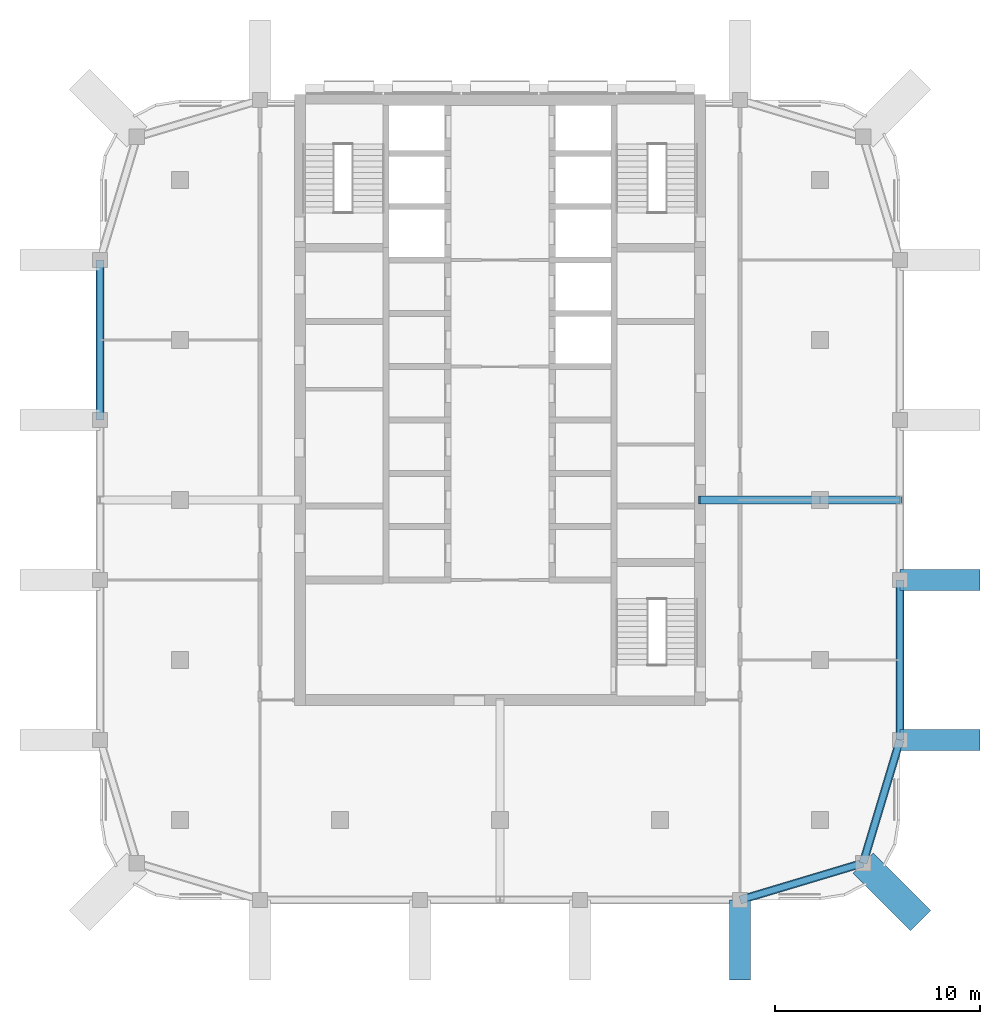
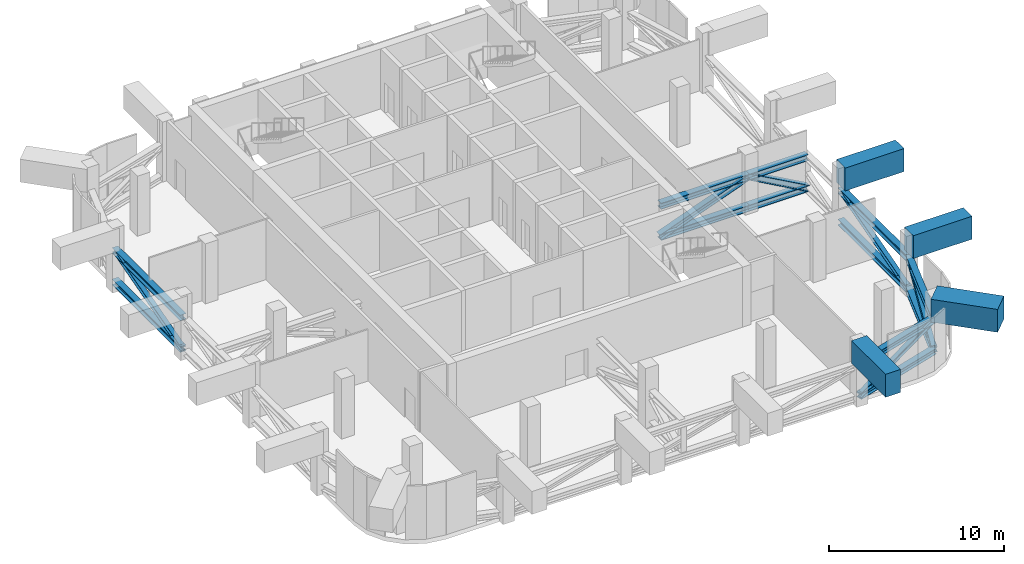
# One storey, part 3 of 13: 18 members, 4 beams.
"""IFC4 building model written with IfcOpenShell, lengths in metres."""

import ifcopenshell
import ifcopenshell.guid

model = None  # the IFC model being written
_history = None  # IfcOwnerHistory: only IFC2X3 demands one
_inside = {}  # id of a spatial element -> (the spatial element, [elements in it])
_under = {}  # id of a project, library or spatial element -> (it, [spatial elements below it])
_declared = {}  # id of a project -> (the project, [libraries it declares])
_typed = {}  # id of a type object -> (the type object, [elements of that type])
_made_of = {}  # id of a material, layer set ... -> (it, [elements and type objects made of it])


def new_model(schema):
    """Start an empty IFC model of exactly this schema.

    Asked for "IFC4X3", IfcOpenShell would pick the latest addendum, in which some entities
    have other attributes; the version numbers below select the first issue.
    IFC2X3 requires an IfcOwnerHistory on every rooted entity: one is made here for all.
    """
    global model, _history
    if schema == "IFC4X3":
        model = ifcopenshell.file(schema_version=(4, 3, 0, 0))
    else:
        model = ifcopenshell.file(schema=schema)
    _inside.clear()
    _under.clear()
    _declared.clear()
    _typed.clear()
    _made_of.clear()
    _history = None
    if model.schema == "IFC2X3":
        org = make("IfcOrganization", Name="unknown")
        user = make(
            "IfcPersonAndOrganization",
            ThePerson=make("IfcPerson", FamilyName="unknown"),
            TheOrganization=org,
        )
        app = make(
            "IfcApplication",
            ApplicationDeveloper=org,
            Version="unknown",
            ApplicationFullName="unknown",
            ApplicationIdentifier="unknown",
        )
        _history = make(
            "IfcOwnerHistory",
            OwningUser=user,
            OwningApplication=app,
            ChangeAction="ADDED",
            CreationDate=0,
        )
    return model


def make(cls, **values):
    """One entity of the class cls with the attributes given. An attribute that is None is left unset."""
    return model.create_entity(
        cls, **{name: value for name, value in values.items() if value is not None}
    )


def rooted(cls, **values):
    """An entity with a GlobalId (a new one), such as an element, a storey or a relation."""
    return make(cls, GlobalId=ifcopenshell.guid.new(), OwnerHistory=_history, **values)


def si_unit(unit_type, name, prefix=None):
    """IfcSIUnit, for example si_unit("LENGTHUNIT", "METRE", prefix="MILLI")."""
    return make("IfcSIUnit", UnitType=unit_type, Prefix=prefix, Name=name)


def assignment(units):
    """IfcUnitAssignment: the units of a project."""
    return None if units is None else make("IfcUnitAssignment", Units=units)


def point(xyz):
    """IfcCartesianPoint."""
    return None if xyz is None else make("IfcCartesianPoint", Coordinates=xyz)


def direction(xyz):
    """IfcDirection."""
    return None if xyz is None else make("IfcDirection", DirectionRatios=xyz)


def frame(location, z_axis=None, x_axis=None):
    """IfcAxis2Placement3D, a coordinate frame: its origin and axes. An axis left out is left unset."""
    return make(
        "IfcAxis2Placement3D",
        Location=point(location),
        Axis=direction(z_axis),
        RefDirection=direction(x_axis),
    )


def frame_2d(location, x_axis=None):
    """IfcAxis2Placement2D, a coordinate frame in the plane: its origin and x axis."""
    return make(
        "IfcAxis2Placement2D", Location=point(location), RefDirection=direction(x_axis)
    )


def origin():
    """The frame at (0, 0, 0) with its axes left unset."""
    return frame((0.0, 0.0, 0.0))


def origin_2d():
    """The frame at (0, 0) in the plane with its x axis left unset."""
    return frame_2d((0.0, 0.0))


def place(relative_to, where):
    """IfcLocalPlacement: puts the frame where relative to a parent placement (None: the world)."""
    return make(
        "IfcLocalPlacement", PlacementRelTo=relative_to, RelativePlacement=where
    )


def context(
    kind, dimensions, precision=None, world=None, true_north=None, identifier=None
):
    """IfcGeometricRepresentationContext, for example the 3D "Model" context."""
    return make(
        "IfcGeometricRepresentationContext",
        ContextIdentifier=identifier,
        ContextType=kind,
        CoordinateSpaceDimension=dimensions,
        Precision=precision,
        WorldCoordinateSystem=world,
        TrueNorth=true_north,
    )


def subcontext(parent, identifier, kind, view, scale=None):
    """IfcGeometricRepresentationSubContext, for example "Body" below "Model"."""
    return make(
        "IfcGeometricRepresentationSubContext",
        ContextIdentifier=identifier,
        ContextType=kind,
        ParentContext=parent,
        TargetScale=scale,
        TargetView=view,
    )


def project(units=None, contexts=None):
    """IfcProject with its units and contexts."""
    return rooted(
        "IfcProject",
        Name="project",
        RepresentationContexts=contexts,
        UnitsInContext=assignment(units),
    )


def spatial(cls, under=None, at=None, **own):
    """A site, building, storey or space (cls), placed at a placement, below another one or the project."""
    s = rooted(cls, ObjectPlacement=at, **own)
    if under is not None:
        _under.setdefault(under.id(), (under, []))[1].append(s)
    return s


def profile(cls, at=None, kind="AREA", **sizes):
    """A parametric profile (cls). Its sizes go by their IFC names, for example OverallWidth=200.0."""
    return make(cls, ProfileType=kind, Position=at, **sizes)


def rectangle(**sizes):
    """IfcRectangleProfileDef."""
    return profile("IfcRectangleProfileDef", **sizes)


def i_section(**sizes):
    """IfcIShapeProfileDef."""
    return profile("IfcIShapeProfileDef", **sizes)


def extrude(swept, where, along, depth):
    """IfcExtrudedAreaSolid: the profile swept, set in the frame where, extruded along a direction by depth."""
    return make(
        "IfcExtrudedAreaSolid",
        SweptArea=swept,
        Position=where,
        ExtrudedDirection=direction(along),
        Depth=depth,
    )


def shape(context_of_items, identifier, shape_type, items):
    """IfcShapeRepresentation: the items that make up one representation, for example the "Body"."""
    return make(
        "IfcShapeRepresentation",
        ContextOfItems=context_of_items,
        RepresentationIdentifier=identifier,
        RepresentationType=shape_type,
        Items=items,
    )


def material(Name=None, Category=None):
    """IfcMaterial."""
    return make("IfcMaterial", Name=Name, Category=Category)


def material_profile(
    of_material, cross_section, Name=None, Category=None, Priority=None
):
    """IfcMaterialProfile: a cross section and its material."""
    return make(
        "IfcMaterialProfile",
        Name=Name,
        Material=of_material,
        Profile=cross_section,
        Priority=Priority,
        Category=Category,
    )


def profile_set(profiles, Name=None, composite=None):
    """IfcMaterialProfileSet."""
    return make(
        "IfcMaterialProfileSet",
        Name=Name,
        MaterialProfiles=profiles,
        CompositeProfile=composite,
    )


def made_of(thing, what):
    """Note that an element or type object is made of a material, layer set ...; save() writes the relation."""
    if what is not None:
        _made_of.setdefault(what.id(), (what, []))[1].append(thing)
    return thing


def type_object(cls, material=None, **own):
    """A type object (cls), such as IfcWallType, which elements share."""
    return made_of(rooted(cls, **own), material)


def element(
    cls,
    number,
    at=None,
    inside=None,
    cuts=None,
    type_object=None,
    material=None,
    context=None,
    identifier="Body",
    shape_type=None,
    held_by="IfcProductDefinitionShape",
    body=None,
    shapes=None,
    **own,
):
    """One element of the class cls, such as IfcWall. Its Tag is "e" and its number.

    at: its placement. inside: the storey or other place that contains it. cuts: it is an
    opening in that element (IfcRelVoidsElement). A single representation is given by context,
    identifier, shape_type and body (its items); several are given by shapes. held_by: the class
    of the entity that holds the representations. save() writes the other relations.
    """
    e = rooted(cls, Tag="e%d" % number, ObjectPlacement=at, **own)
    if body is not None:
        shapes = [shape(context, identifier, shape_type, body)]
    if shapes is not None:
        e.Representation = make(held_by, Representations=shapes)
    if inside is not None:
        _inside.setdefault(inside.id(), (inside, []))[1].append(e)
    if cuts is not None:
        rooted(
            "IfcRelVoidsElement", RelatingBuildingElement=cuts, RelatedOpeningElement=e
        )
    if type_object is not None:
        _typed.setdefault(type_object.id(), (type_object, []))[1].append(e)
    return made_of(e, material)


def aggregate(whole, parts):
    """IfcRelAggregates: a whole, such as a stair, and the parts it consists of."""
    return rooted("IfcRelAggregates", RelatingObject=whole, RelatedObjects=parts)


def save(model, path):
    """Write the relations noted so far, then the file.

    IfcRelAggregates (storeys below a building ...), IfcRelContainedInSpatialStructure (elements
    in a storey), IfcRelDefinesByType, IfcRelAssociatesMaterial and IfcRelDeclares: one each for
    every whole, place, type object, material and project.
    """
    for whole, parts in _under.values():
        aggregate(whole, parts)
    for where, things in _inside.values():
        rooted(
            "IfcRelContainedInSpatialStructure",
            RelatedElements=things,
            RelatingStructure=where,
        )
    for kind, things in _typed.values():
        rooted("IfcRelDefinesByType", RelatedObjects=things, RelatingType=kind)
    for what, things in _made_of.values():
        rooted("IfcRelAssociatesMaterial", RelatedObjects=things, RelatingMaterial=what)
    for by, libraries in _declared.values():
        rooted("IfcRelDeclares", RelatingContext=by, RelatedDefinitions=libraries)
    model.write(path)


model = new_model("IFC4")

# Units and contexts
model_context = context("Model", 3, precision=1e-05, world=origin(), true_north=direction((0.0, 1.0)))
body_context = subcontext(model_context, "Body", "Model", "MODEL_VIEW")
ifc_project = project(units=[si_unit("LENGTHUNIT", "METRE"), si_unit("AREAUNIT", "SQUARE_METRE"), si_unit("VOLUMEUNIT", "CUBIC_METRE"), si_unit("PLANEANGLEUNIT", "RADIAN"), si_unit("MASSUNIT", "GRAM", prefix="KILO")], contexts=[model_context])

# Site, building, storey
site_placement = place(None, origin())
site = spatial("IfcSite", under=ifc_project, at=site_placement, CompositionType="ELEMENT")
building_placement = place(site_placement, origin())
building = spatial("IfcBuilding", under=site, at=building_placement, Name="Ludao Terraces", CompositionType="ELEMENT")
storey_placement = place(building_placement, frame((0.0, 0.0, 192.800048828125)))
storey = spatial("IfcBuildingStorey", under=building, at=storey_placement, Name="L52", CompositionType="ELEMENT", Elevation=192.800048828125)

# Members
ifc_material_1 = material(Name="Steel Q355", Category="steel")
ifc_material_profile_1 = material_profile(ifc_material_1, i_section(OverallWidth=0.39990234375, OverallDepth=0.39990234375, WebThickness=0.012939453125, FlangeThickness=0.02099609375, at=origin_2d()), Name="HW 400X400X13X21")
ifc_profile_set_1 = profile_set([ifc_material_profile_1], Name="Steel Q355")
member_type_1 = type_object("IfcMemberType", Name="Belt truss chord HW 400x400x13x21 Q355", PredefinedType="CHORD", material=ifc_profile_set_1)
for number, where, z_axis, x_axis, name in (
    (1, (96.699951171875, 45.5, 2.39990234375), (0.957824139839, 0.287355036744, 0.0), (-0.287355036744, 0.957824139839, 0.0), "Truss chord L52 BT5T1"),
    (2, (96.699951171875, 45.5, 0.199951171875), (0.957824139839, 0.287355036744, 0.0), (-0.287355036744, 0.957824139839, 0.0), "Truss chord L52 BT5B1"),
):
    element("IfcMember", number, at=place(storey_placement, frame(where, z_axis=z_axis, x_axis=x_axis)), inside=storey, type_object=member_type_1, Name=name, PredefinedType="CHORD", context=body_context, shape_type="SweptSolid", body=[
        extrude(i_section(OverallWidth=0.39990234375, OverallDepth=0.39990234375, WebThickness=0.012939453125, FlangeThickness=0.02099609375, at=origin_2d()), origin(), (0.0, 0.0, 1.0), 6.26416015625),
    ])
for number, where, z_axis, x_axis, name in (
    (3, (65.5, 68.89990234375, 2.39990234375), (0.0, 1.0, 0.0), (-1.0, 0.0, 0.0), "Truss chord L52 BT11T1"),
    (4, (65.5, 68.89990234375, 0.199951171875), (0.0, 1.0, 0.0), (-1.0, 0.0, 0.0), "Truss chord L52 BT11B1"),
):
    element("IfcMember", number, at=place(storey_placement, frame(where, z_axis=z_axis, x_axis=x_axis)), inside=storey, type_object=member_type_1, Name=name, PredefinedType="CHORD", context=body_context, shape_type="SweptSolid", body=[
        extrude(i_section(OverallWidth=0.39990234375, OverallDepth=0.39990234375, WebThickness=0.012939453125, FlangeThickness=0.02099609375, at=origin_2d()), origin(), (0.0, 0.0, 1.0), 7.800048828125),
    ])
for number, where, z_axis, x_axis, name in (
    (5, (102.699951171875, 47.300048828125, 2.39990234375), (0.287355036744, 0.957824139839, 0.0), (-0.957824139839, 0.287355036744, 0.0), "Truss chord L52 BT13T1"),
    (6, (102.699951171875, 47.300048828125, 0.199951171875), (0.287355036744, 0.957824139839, 0.0), (-0.957824139839, 0.287355036744, 0.0), "Truss chord L52 BT13B1"),
):
    element("IfcMember", number, at=place(storey_placement, frame(where, z_axis=z_axis, x_axis=x_axis)), inside=storey, type_object=member_type_1, Name=name, PredefinedType="CHORD", context=body_context, shape_type="SweptSolid", body=[
        extrude(i_section(OverallWidth=0.39990234375, OverallDepth=0.39990234375, WebThickness=0.012939453125, FlangeThickness=0.02099609375, at=origin_2d()), origin(), (0.0, 0.0, 1.0), 6.26416015625),
    ])
for number, where, z_axis, x_axis, name in (
    (7, (104.5, 53.300048828125, 2.39990234375), (0.0, 1.0, 0.0), (-1.0, 0.0, 0.0), "Truss chord L52 BT14T1"),
    (8, (104.5, 53.300048828125, 0.199951171875), (0.0, 1.0, 0.0), (-1.0, 0.0, 0.0), "Truss chord L52 BT14B1"),
):
    element("IfcMember", number, at=place(storey_placement, frame(where, z_axis=z_axis, x_axis=x_axis)), inside=storey, type_object=member_type_1, Name=name, PredefinedType="CHORD", context=body_context, shape_type="SweptSolid", body=[
        extrude(i_section(OverallWidth=0.39990234375, OverallDepth=0.39990234375, WebThickness=0.012939453125, FlangeThickness=0.02099609375, at=origin_2d()), origin(), (0.0, 0.0, 1.0), 7.800048828125),
    ])
ifc_material_profile_2 = material_profile(ifc_material_1, i_section(OverallWidth=0.300048828125, OverallDepth=0.300048828125, WebThickness=0.010009765625, FlangeThickness=0.014892578125, at=origin_2d()), Name="HW 300X300X10X15")
ifc_profile_set_2 = profile_set([ifc_material_profile_2], Name="Steel Q355")
member_type_2 = type_object("IfcMemberType", Name="Belt truss diagonal HW 300x300x10x15 Q355", PredefinedType="BRACE", material=ifc_profile_set_2)
member_1_placement = place(storey_placement, frame((96.699951171875, 45.5, 0.199951171875), z_axis=(0.903713250067, 0.271121329457, 0.331354170587), x_axis=(-0.287355036744, 0.957824139839, 0.0)))
element("IfcMember", 9, at=member_1_placement, inside=storey, type_object=member_type_2, Name="Truss diagonal L52 BT51", PredefinedType="BRACE", context=body_context, shape_type="SweptSolid", body=[
    extrude(i_section(OverallWidth=0.300048828125, OverallDepth=0.300048828125, WebThickness=0.010009765625, FlangeThickness=0.014892578125, at=origin_2d()), origin(), (0.0, 0.0, 1.0), 6.63916015625),
])
member_2_placement = place(storey_placement, frame((65.5, 68.89990234375, 0.199951171875), z_axis=(0.0, 0.962451694053, 0.271453009957), x_axis=(-1.0, 0.0, 0.0)))
element("IfcMember", 10, at=member_2_placement, inside=storey, type_object=member_type_2, Name="Truss diagonal L52 BT111", PredefinedType="BRACE", context=body_context, shape_type="SweptSolid", body=[
    extrude(i_section(OverallWidth=0.300048828125, OverallDepth=0.300048828125, WebThickness=0.010009765625, FlangeThickness=0.014892578125, at=origin_2d()), origin(), (0.0, 0.0, 1.0), 8.104248046875),
])
member_3_placement = place(storey_placement, frame((102.699951171875, 47.300048828125, 0.199951171875), z_axis=(0.271121329457, 0.903713250067, 0.331354170587), x_axis=(-0.957824139839, 0.287355036744, 0.0)))
element("IfcMember", 11, at=member_3_placement, inside=storey, type_object=member_type_2, Name="Truss diagonal L52 BT131", PredefinedType="BRACE", context=body_context, shape_type="SweptSolid", body=[
    extrude(i_section(OverallWidth=0.300048828125, OverallDepth=0.300048828125, WebThickness=0.010009765625, FlangeThickness=0.014892578125, at=origin_2d()), origin(), (0.0, 0.0, 1.0), 6.63916015625),
])
member_4_placement = place(storey_placement, frame((104.5, 53.300048828125, 0.199951171875), z_axis=(0.0, 0.962451694053, 0.271453009957), x_axis=(-1.0, 0.0, 0.0)))
element("IfcMember", 12, at=member_4_placement, inside=storey, type_object=member_type_2, Name="Truss diagonal L52 BT141", PredefinedType="BRACE", context=body_context, shape_type="SweptSolid", body=[
    extrude(i_section(OverallWidth=0.300048828125, OverallDepth=0.300048828125, WebThickness=0.010009765625, FlangeThickness=0.014892578125, at=origin_2d()), origin(), (0.0, 0.0, 1.0), 8.104248046875),
])
ifc_material_profile_3 = material_profile(ifc_material_1, i_section(OverallWidth=0.406982421875, OverallDepth=0.427978515625, WebThickness=0.02001953125, FlangeThickness=0.034912109375, at=origin_2d()), Name="HW 428X407X20X35")
ifc_profile_set_3 = profile_set([ifc_material_profile_3], Name="Steel Q355")
member_type_3 = type_object("IfcMemberType", Name="Outrigger chord HW 428x407x20x35 Q355", PredefinedType="CHORD", material=ifc_profile_set_3)
for number, where, z_axis, x_axis, name in (
    (13, (94.75, 65.0, 2.385986328125), (1.0, 0.0, 0.0), (0.0, 1.0, 0.0), "Truss chord L52 ORET1"),
    (14, (94.75, 65.0, 0.2138671875), (1.0, 0.0, 0.0), (0.0, 1.0, 0.0), "Truss chord L52 OREB1"),
):
    element("IfcMember", number, at=place(storey_placement, frame(where, z_axis=z_axis, x_axis=x_axis)), inside=storey, type_object=member_type_3, Name=name, PredefinedType="CHORD", context=body_context, shape_type="SweptSolid", body=[
        extrude(i_section(OverallWidth=0.406982421875, OverallDepth=0.427978515625, WebThickness=0.02001953125, FlangeThickness=0.034912109375, at=origin_2d()), origin(), (0.0, 0.0, 1.0), 5.85009765625),
    ])
for number, where, z_axis, x_axis, name in (
    (15, (100.60009765625, 65.0, 2.385986328125), (1.0, 0.0, 0.0), (0.0, 1.0, 0.0), "Truss chord L52 ORET2"),
    (16, (100.60009765625, 65.0, 0.2138671875), (1.0, 0.0, 0.0), (0.0, 1.0, 0.0), "Truss chord L52 OREB2"),
):
    element("IfcMember", number, at=place(storey_placement, frame(where, z_axis=z_axis, x_axis=x_axis)), inside=storey, type_object=member_type_3, Name=name, PredefinedType="CHORD", context=body_context, shape_type="SweptSolid", body=[
        extrude(i_section(OverallWidth=0.406982421875, OverallDepth=0.427978515625, WebThickness=0.02001953125, FlangeThickness=0.034912109375, at=origin_2d()), origin(), (0.0, 0.0, 1.0), 3.89990234375),
    ])
ifc_material_profile_4 = material_profile(ifc_material_1, i_section(OverallWidth=0.39990234375, OverallDepth=0.39990234375, WebThickness=0.012939453125, FlangeThickness=0.02099609375, at=origin_2d()), Name="HW 400X400X13X21")
ifc_profile_set_4 = profile_set([ifc_material_profile_4], Name="Steel Q355")
member_type_4 = type_object("IfcMemberType", Name="Outrigger diagonal HW 400x400x13x21 Q355", PredefinedType="BRACE", material=ifc_profile_set_4)
member_5_placement = place(storey_placement, frame((94.75, 65.0, 0.2138671875), z_axis=(0.937465763886, 0.0, 0.348077493586), x_axis=(0.0, 1.0, 0.0)))
element("IfcMember", 17, at=member_5_placement, inside=storey, type_object=member_type_4, Name="Truss diagonal L52 ORE1", PredefinedType="BRACE", context=body_context, shape_type="SweptSolid", body=[
    extrude(i_section(OverallWidth=0.39990234375, OverallDepth=0.39990234375, WebThickness=0.012939453125, FlangeThickness=0.02099609375, at=origin_2d()), origin(), (0.0, 0.0, 1.0), 6.240234375),
])
member_6_placement = place(storey_placement, frame((100.60009765625, 65.0, 2.385986328125), z_axis=(0.873633076324, 0.0, -0.486585293605), x_axis=(0.0, 1.0, 0.0)))
element("IfcMember", 18, at=member_6_placement, inside=storey, type_object=member_type_4, Name="Truss diagonal L52 ORE2", PredefinedType="BRACE", context=body_context, shape_type="SweptSolid", body=[
    extrude(i_section(OverallWidth=0.39990234375, OverallDepth=0.39990234375, WebThickness=0.012939453125, FlangeThickness=0.02099609375, at=origin_2d()), origin(), (0.0, 0.0, 1.0), 4.464111328125),
])

# Beams
ifc_material_2 = material(Name="Concrete C60", Category="concrete")
ifc_material_profile_5 = material_profile(ifc_material_2, rectangle(XDim=1.0, YDim=1.60009765625, at=origin_2d()), Name="1000 X 1600")
ifc_profile_set_5 = profile_set([ifc_material_profile_5], Name="Concrete C60")
beam_type_1 = type_object("IfcBeamType", Name="RC beam 1000x1600 C60", PredefinedType="BEAM", material=ifc_profile_set_5)
for number, where, z_axis, x_axis, name in (
    (19, (96.699951171875, 41.60009765625, 3.39990234375), (0.0, 1.0, 0.0), (-1.0, 0.0, 0.0), "Transfer girder L52 corbel 9"),
    (20, (108.39990234375, 53.300048828125, 3.39990234375), (-1.0, 0.0, 0.0), (0.0, -1.0, 0.0), "Transfer girder L52 corbel 11"),
    (21, (108.39990234375, 61.10009765625, 3.39990234375), (-1.0, 0.0, 0.0), (0.0, -1.0, 0.0), "Transfer girder L52 corbel 12"),
):
    element("IfcBeam", number, at=place(storey_placement, frame(where, z_axis=z_axis, x_axis=x_axis)), inside=storey, type_object=beam_type_1, Name=name, PredefinedType="BEAM", context=body_context, shape_type="SweptSolid", body=[
        extrude(rectangle(XDim=1.0, YDim=1.60009765625, at=origin_2d()), origin(), (0.0, 0.0, 1.0), 3.89990234375),
    ])
ifc_material_profile_6 = material_profile(ifc_material_2, rectangle(XDim=1.39990234375, YDim=1.60009765625, at=origin_2d()), Name="1400 X 1600")
ifc_profile_set_6 = profile_set([ifc_material_profile_6], Name="Concrete C60")
beam_type_2 = type_object("IfcBeamType", Name="RC beam 1400x1600 C60", PredefinedType="BEAM", material=ifc_profile_set_6)
beam_placement = place(storey_placement, frame((105.5, 44.5, 3.39990234375), z_axis=(-0.707106781187, 0.707106781187, 0.0), x_axis=(-0.707106781187, -0.707106781187, 0.0)))
element("IfcBeam", 22, at=beam_placement, inside=storey, type_object=beam_type_2, Name="Transfer girder L52 corner SE", PredefinedType="BEAM", context=body_context, shape_type="SweptSolid", body=[
    extrude(rectangle(XDim=1.39990234375, YDim=1.60009765625, at=origin_2d()), origin(), (0.0, 0.0, 1.0), 3.9599609375),
])

save(model, "model.ifc")
